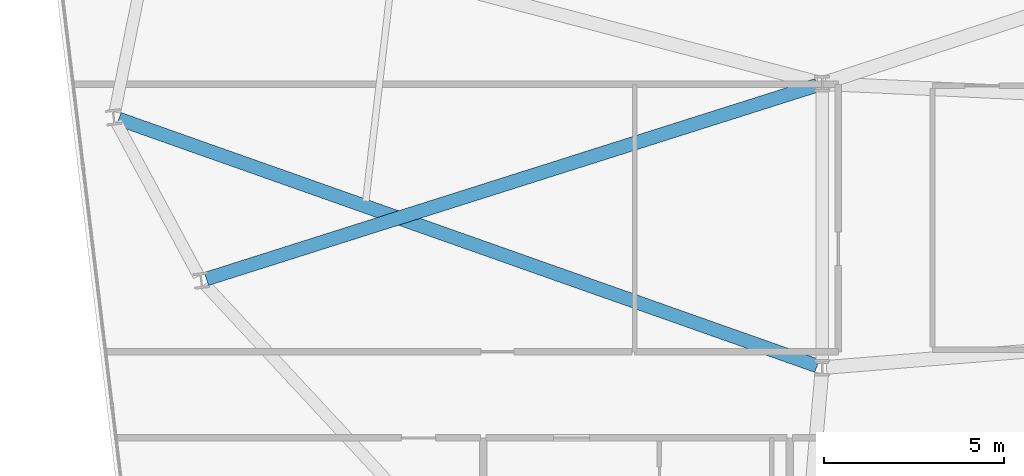
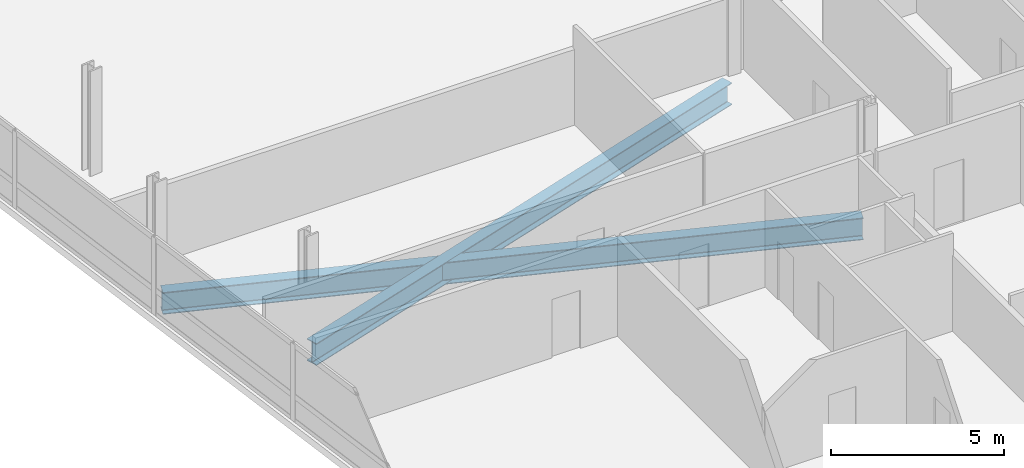
# One storey, part 5 of 24: 2 beams.
"""IFC4 building model written with IfcOpenShell, lengths in metres."""

from ifc_helpers import new_model, si_unit, direction, frame, origin, origin_2d, place, context, subcontext, project, spatial, i_section, extrude, material, material_profile, profile_set, type_object, element, save


model = new_model("IFC4")

# Units and contexts
model_context = context("Model", 3, precision=1e-05, world=origin(), true_north=direction((0.0, 1.0)))
body_context = subcontext(model_context, "Body", "Model", "MODEL_VIEW")
ifc_project = project(units=[si_unit("LENGTHUNIT", "METRE"), si_unit("AREAUNIT", "SQUARE_METRE"), si_unit("VOLUMEUNIT", "CUBIC_METRE"), si_unit("PLANEANGLEUNIT", "RADIAN"), si_unit("MASSUNIT", "GRAM", prefix="KILO")], contexts=[model_context])

# Site, building, storey
site_placement = place(None, origin())
site = spatial("IfcSite", under=ifc_project, at=site_placement, CompositionType="ELEMENT")
building_placement = place(site_placement, origin())
building = spatial("IfcBuilding", under=site, at=building_placement, Name="Varnelok Gate Tower", CompositionType="ELEMENT")
storey_placement = place(building_placement, frame((0.0, 0.0, 196.800048828125)))
storey = spatial("IfcBuildingStorey", under=building, at=storey_placement, Name="L50", CompositionType="ELEMENT", Elevation=196.800048828125)

# Beams
ifc_material = material(Name="Structural Steel ASTM A992 Grade 50", Category="steel")
ifc_material_profile = material_profile(ifc_material, i_section(OverallWidth=0.381103515625, OverallDepth=0.77294921875, WebThickness=0.0166015625, FlangeThickness=0.027099609375, FilletRadius=0.02197265625, at=origin_2d()), Name="W30X173")
ifc_profile_set = profile_set([ifc_material_profile], Name="Structural Steel ASTM A992 Grade 50")
beam_type = type_object("IfcBeamType", Name="BM-PRI-W30X173", PredefinedType="BEAM", material=ifc_profile_set)
beam_1_placement = place(storey_placement, frame((24.258544921875, 18.85009765625, -0.636474609375), z_axis=(-0.942837769657, 0.333252066923, 0.0), x_axis=(-0.333252066923, -0.942837769657, 0.0)))
element("IfcBeam", 1, at=beam_1_placement, inside=storey, type_object=beam_type, Name="L50 Radial Floor Girder 15", PredefinedType="BEAM", context=body_context, shape_type="SweptSolid", body=[
    extrude(i_section(OverallWidth=0.381103515625, OverallDepth=0.77294921875, WebThickness=0.0166015625, FlangeThickness=0.027099609375, FilletRadius=0.02197265625, at=origin_2d()), origin(), (0.0, 0.0, 1.0), 20.5458984375),
])
beam_2_placement = place(storey_placement, frame((24.257080078125, 26.634521484375, -0.636474609375), z_axis=(-0.953202154823, -0.302333676657, 0.0), x_axis=(0.302333676657, -0.953202154823, 0.0)))
element("IfcBeam", 2, at=beam_2_placement, inside=storey, type_object=beam_type, Name="L50 Radial Floor Girder 16", PredefinedType="BEAM", context=body_context, shape_type="SweptSolid", body=[
    extrude(i_section(OverallWidth=0.381103515625, OverallDepth=0.77294921875, WebThickness=0.0166015625, FlangeThickness=0.027099609375, FilletRadius=0.02197265625, at=origin_2d()), origin(), (0.0, 0.0, 1.0), 17.77099609375),
])

save(model, "model.ifc")
